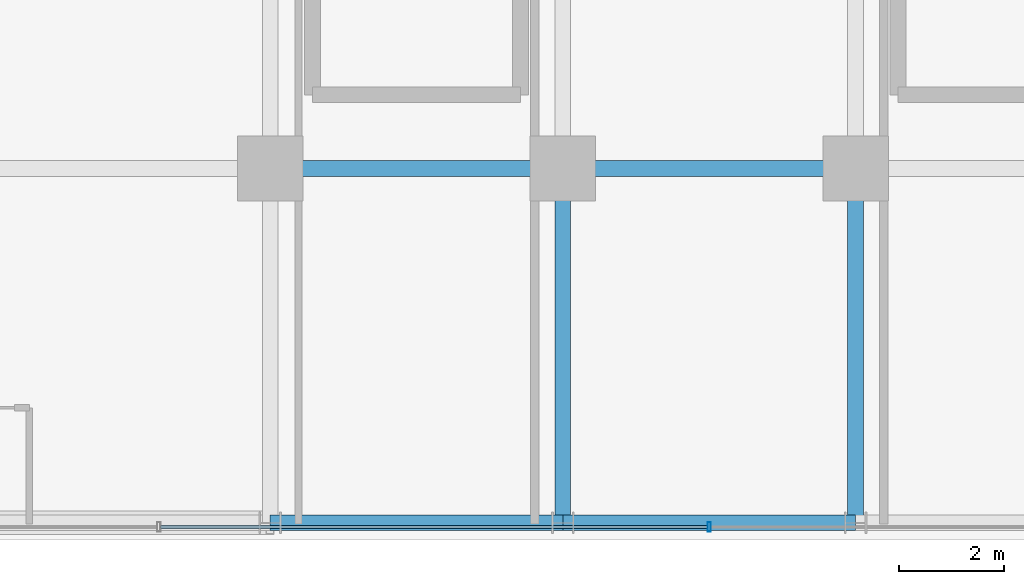
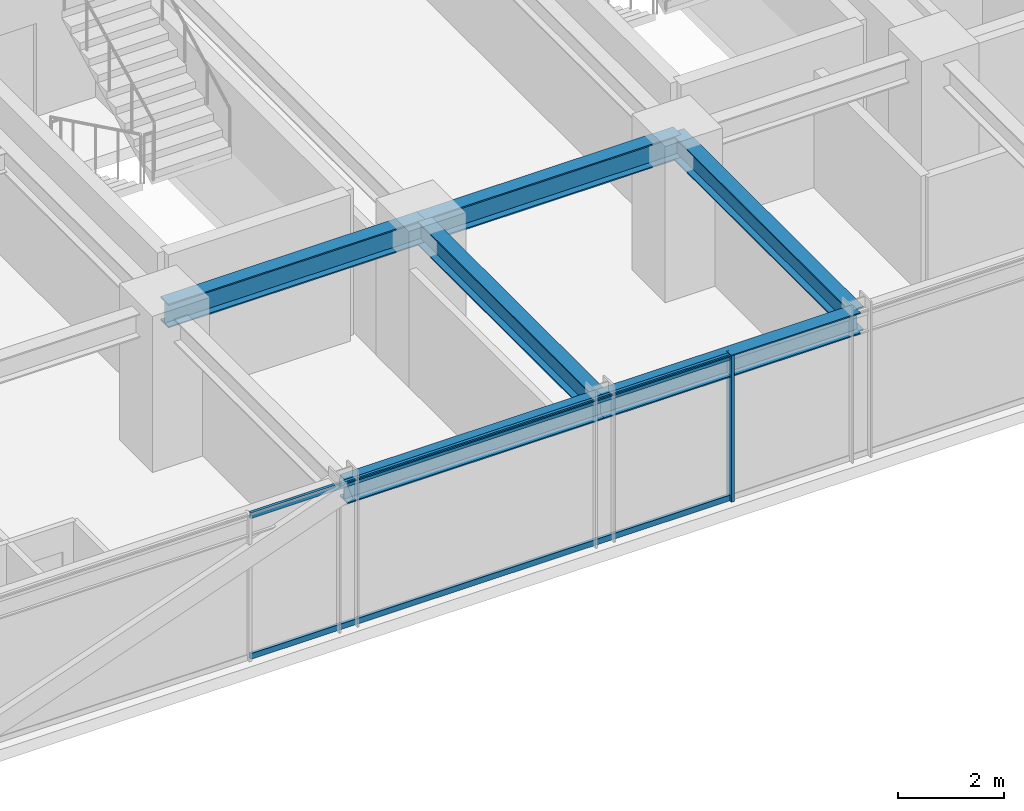
# One storey, part 6 of 35: 6 beams, 3 members, 1 element without a shape of its own.
"""IFC4 building model written with IfcOpenShell, lengths in metres."""

from ifc_helpers import new_model, si_unit, direction, frame, origin, origin_2d, place, context, subcontext, project, spatial, hollow_rectangle, i_section, extrude, source, transform, mapped, material, material_profile, profile_set, type_object, element, aggregate, save


model = new_model("IFC4")

# Units and contexts
model_context = context("Model", 3, precision=1e-05, world=origin(), true_north=direction((0.0, 1.0)))
body_context = subcontext(model_context, "Body", "Model", "MODEL_VIEW")
ifc_project = project(units=[si_unit("LENGTHUNIT", "METRE"), si_unit("AREAUNIT", "SQUARE_METRE"), si_unit("VOLUMEUNIT", "CUBIC_METRE"), si_unit("PLANEANGLEUNIT", "RADIAN"), si_unit("MASSUNIT", "GRAM", prefix="KILO")], contexts=[model_context])

# Site, building, storey
site_placement = place(None, origin())
site = spatial("IfcSite", under=ifc_project, at=site_placement, CompositionType="ELEMENT")
building_placement = place(site_placement, origin())
building = spatial("IfcBuilding", under=site, at=building_placement, Name="Nahalor Promenade Grand Hotel", CompositionType="ELEMENT")
storey_placement = place(building_placement, frame((0.0, 0.0, 121.14990234375)))
storey = spatial("IfcBuildingStorey", under=building, at=storey_placement, Name="L30", CompositionType="ELEMENT", Elevation=121.14990234375)

# Beams
ifc_material_1 = material(Name="Steel S355JR", Category="steel")
ifc_material_profile_1 = material_profile(ifc_material_1, i_section(OverallWidth=0.3, OverallDepth=0.5, WebThickness=0.0145, FlangeThickness=0.028, at=origin_2d()), Name="HEB 500")
ifc_profile_set_1 = profile_set([ifc_material_profile_1], Name="Steel S355JR")
beam_type_1 = type_object("IfcBeamType", Name="Beam-Spandrel-HEB500", PredefinedType="SPANDREL", material=ifc_profile_set_1)
shared_shape_1 = source(origin(), body_context, "Body", "SweptSolid", [
    extrude(i_section(OverallWidth=0.3, OverallDepth=0.5, WebThickness=0.0145, FlangeThickness=0.028, at=origin_2d()), origin(), (0.0, 0.0, 1.0), 5.599853515625),
])
beam_1_placement = place(storey_placement, frame((-8.39990234375, -23.780029296875, 3.130126953125), z_axis=(1.0, 0.0, 0.0), x_axis=(0.0, 1.0, 0.0)))
element("IfcBeam", 1, at=beam_1_placement, inside=storey, type_object=beam_type_1, Name="BM-L30-SP-S-1", PredefinedType="SPANDREL", context=body_context, shape_type="MappedRepresentation", body=[
    mapped(shared_shape_1, transform((0.0, 0.0, 0.0), scale=1.0)),
])
shared_shape_2 = source(origin(), body_context, "Body", "SweptSolid", [
    extrude(i_section(OverallWidth=0.3, OverallDepth=0.5, WebThickness=0.0145, FlangeThickness=0.028, at=origin_2d()), origin(), (0.0, 0.0, 1.0), 5.60009765625),
])
beam_2_placement = place(storey_placement, frame((-2.800048828125, -23.780029296875, 3.130126953125), z_axis=(1.0, 0.0, 0.0), x_axis=(0.0, 1.0, 0.0)))
element("IfcBeam", 2, at=beam_2_placement, inside=storey, type_object=beam_type_1, Name="BM-L30-SP-S-2", PredefinedType="SPANDREL", context=body_context, shape_type="MappedRepresentation", body=[
    mapped(shared_shape_2, transform((0.0, 0.0, 0.0), scale=1.0)),
])
ifc_material_profile_2 = material_profile(ifc_material_1, i_section(OverallWidth=0.3, OverallDepth=0.55, WebThickness=0.015, FlangeThickness=0.029, at=origin_2d()), Name="HEB 550")
ifc_profile_set_2 = profile_set([ifc_material_profile_2], Name="Steel S355JR")
beam_type_2 = type_object("IfcBeamType", Name="Beam-Girder-HEB550", PredefinedType="BEAM", material=ifc_profile_set_2)
shared_shape_3 = source(origin(), body_context, "Body", "SweptSolid", [
    extrude(i_section(OverallWidth=0.3, OverallDepth=0.55, WebThickness=0.015, FlangeThickness=0.029, at=origin_2d()), origin(), (0.0, 0.0, 1.0), 6.780029296875),
])
for number, where, z_axis, x_axis, name in (
    (3, (-2.800048828125, -23.780029296875, 3.10498046875), (0.0, 1.0, 0.0), (-1.0, 0.0, 0.0), "BM-L30-GY-2-0"),
    (4, (2.800048828125, -23.780029296875, 3.10498046875), (0.0, 1.0, 0.0), (-1.0, 0.0, 0.0), "BM-L30-GY-3-0"),
):
    element("IfcBeam", number, at=place(storey_placement, frame(where, z_axis=z_axis, x_axis=x_axis)), inside=storey, type_object=beam_type_2, Name=name, PredefinedType="BEAM", context=body_context, shape_type="MappedRepresentation", body=[
        mapped(shared_shape_3, transform((0.0, 0.0, 0.0), scale=1.0)),
    ])
shared_shape_4 = source(origin(), body_context, "Body", "SweptSolid", [
    extrude(i_section(OverallWidth=0.3, OverallDepth=0.55, WebThickness=0.015, FlangeThickness=0.029, at=origin_2d()), origin(), (0.0, 0.0, 1.0), 5.599853515625),
])
beam_3_placement = place(storey_placement, frame((-8.39990234375, -17.0, 3.10498046875), z_axis=(1.0, 0.0, 0.0), x_axis=(0.0, 1.0, 0.0)))
element("IfcBeam", 5, at=beam_3_placement, inside=storey, type_object=beam_type_2, Name="BM-L30-GX-0-2", PredefinedType="BEAM", context=body_context, shape_type="MappedRepresentation", body=[
    mapped(shared_shape_4, transform((0.0, 0.0, 0.0), scale=1.0)),
])
shared_shape_5 = source(origin(), body_context, "Body", "SweptSolid", [
    extrude(i_section(OverallWidth=0.3, OverallDepth=0.55, WebThickness=0.015, FlangeThickness=0.029, at=origin_2d()), origin(), (0.0, 0.0, 1.0), 5.60009765625),
])
beam_4_placement = place(storey_placement, frame((-2.800048828125, -17.0, 3.10498046875), z_axis=(1.0, 0.0, 0.0), x_axis=(0.0, 1.0, 0.0)))
element("IfcBeam", 6, at=beam_4_placement, inside=storey, type_object=beam_type_2, Name="BM-L30-GX-0-3", PredefinedType="BEAM", context=body_context, shape_type="MappedRepresentation", body=[
    mapped(shared_shape_5, transform((0.0, 0.0, 0.0), scale=1.0)),
])

# Curtain wall, members
ifc_material_2 = material(Name="Anodised Bronze Aluminium EN AW-6063 T6", Category="aluminium")
curtain_wall_type = type_object("IfcCurtainWallType", Name="CW2 Typical Hotel Flush Bronze Unitised Curtain Wall", PredefinedType="USERDEFINED", material=ifc_material_2)
curtain_wall_placement = place(storey_placement, origin())
curtain_wall = element("IfcCurtainWall", 7, at=curtain_wall_placement, inside=storey, type_object=curtain_wall_type, Name="L30 Curtain Wall CW-L30-S-1", ObjectType="UNITISED_CURTAIN_WALL", PredefinedType="USERDEFINED")
ifc_material_profile_3 = material_profile(ifc_material_2, hollow_rectangle(XDim=0.065, YDim=0.13, WallThickness=0.004, at=origin_2d()), Name="CWT 65x130x4")
ifc_profile_set_3 = profile_set([ifc_material_profile_3], Name="Anodised Bronze Aluminium EN AW-6063 T6")
member_type_1 = type_object("IfcMemberType", Name="CWT2 Typical Bronze Transom 65x130", PredefinedType="USERDEFINED", material=ifc_profile_set_3)
shared_shape_6 = source(origin(), body_context, "Body", "SweptSolid", [
    extrude(hollow_rectangle(XDim=0.065, YDim=0.13, WallThickness=0.004, at=origin_2d()), origin(), (0.0, 0.0, 1.0), 10.465087890625),
])
member_1_placement = place(storey_placement, frame((-10.49755859375, -23.860107421875, 0.065185546875), z_axis=(1.0, 0.0, 0.0), x_axis=(0.0, 1.0, 0.0)))
member_1 = element("IfcMember", 8, at=member_1_placement, type_object=member_type_1, Name="CW-L30-S-1 Transom 1-0", ObjectType="TRANSOM", PredefinedType="USERDEFINED", context=body_context, shape_type="MappedRepresentation", body=[
    mapped(shared_shape_6, transform((0.0, 0.0, 0.0), scale=1.0)),
])
member_2_placement = place(storey_placement, frame((-10.49755859375, -23.860107421875, 3.315185546875), z_axis=(1.0, 0.0, 0.0), x_axis=(0.0, 1.0, 0.0)))
member_2 = element("IfcMember", 9, at=member_2_placement, type_object=member_type_1, Name="CW-L30-S-1 Transom 1-1", ObjectType="TRANSOM", PredefinedType="USERDEFINED", context=body_context, shape_type="MappedRepresentation", body=[
    mapped(shared_shape_6, transform((0.0, 0.0, 0.0), scale=1.0)),
])
ifc_material_profile_4 = material_profile(ifc_material_2, hollow_rectangle(XDim=0.065, YDim=0.18, WallThickness=0.004, at=origin_2d()), Name="CWM 65x180x4")
ifc_profile_set_4 = profile_set([ifc_material_profile_4], Name="Anodised Bronze Aluminium EN AW-6063 T6")
member_type_2 = type_object("IfcMemberType", Name="CWM2 Typical Bronze Mullion 65x180", PredefinedType="MULLION", material=ifc_profile_set_4)
shared_shape_7 = source(origin(), body_context, "Body", "SweptSolid", [
    extrude(hollow_rectangle(XDim=0.065, YDim=0.18, WallThickness=0.004, at=origin_2d()), origin(), (0.0, 0.0, 1.0), 3.380126953125),
])
member_3_placement = place(storey_placement, frame((0.0, -23.860107421875, 0.0), z_axis=(0.0, 0.0, 1.0), x_axis=(1.0, 0.0, 0.0)))
member_3 = element("IfcMember", 10, at=member_3_placement, type_object=member_type_2, Name="CW-L30-S-1 Mullion 2", PredefinedType="MULLION", context=body_context, shape_type="MappedRepresentation", body=[
    mapped(shared_shape_7, transform((0.0, 0.0, 0.0), scale=1.0)),
])
aggregate(curtain_wall, [member_3, member_1, member_2])

save(model, "model.ifc")
